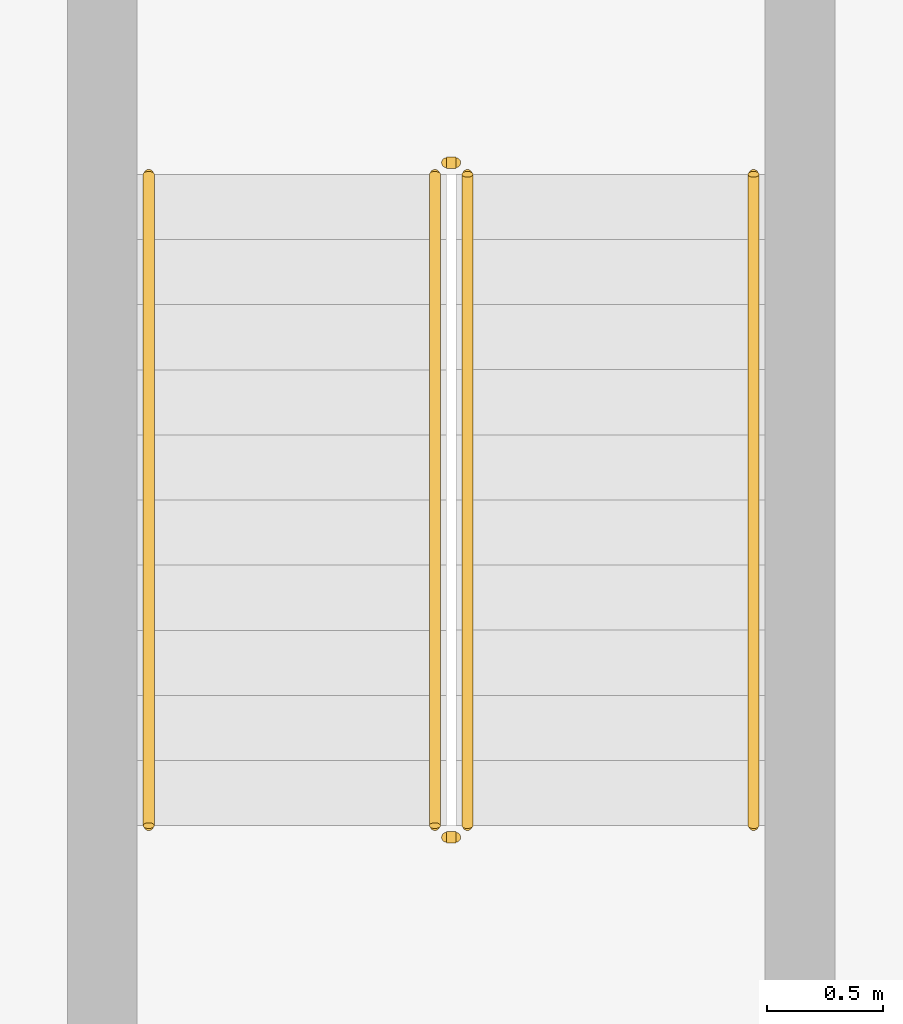
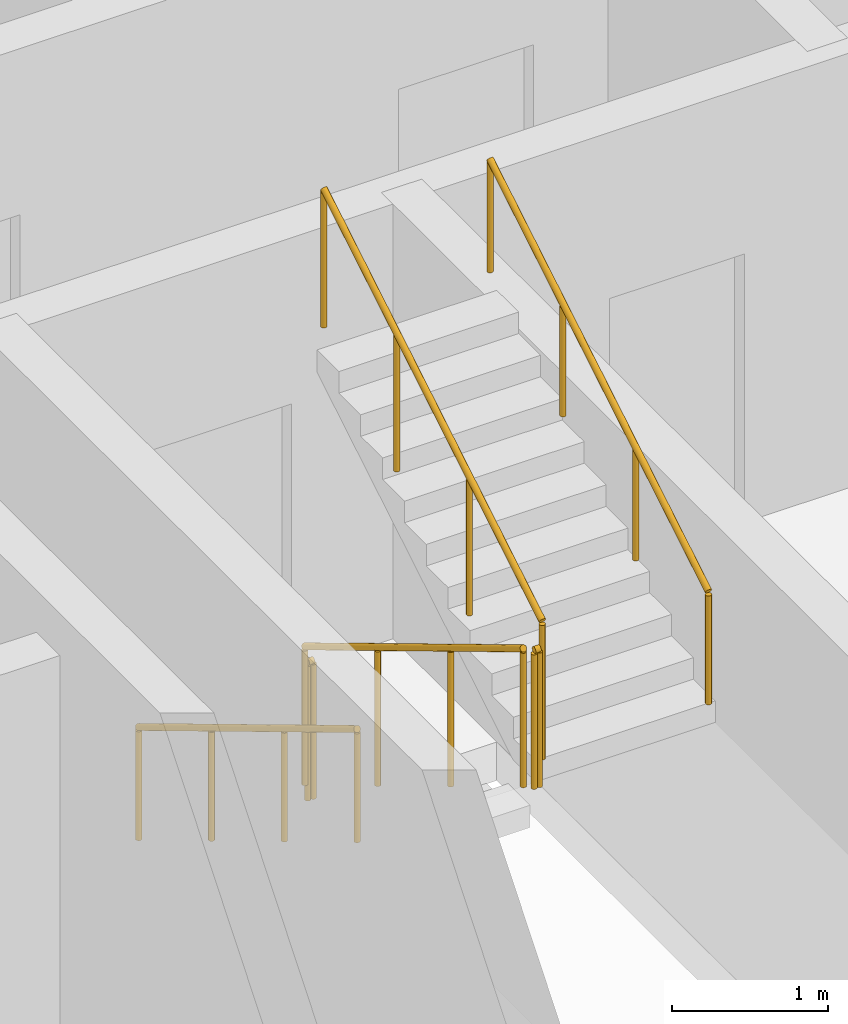
# One storey, part 29 of 32: 6 railings.
"""IFC4 building model written with IfcOpenShell, lengths in metres."""

import ifcopenshell
import ifcopenshell.guid

model = None  # the IFC model being written
_history = None  # IfcOwnerHistory: only IFC2X3 demands one
_inside = {}  # id of a spatial element -> (the spatial element, [elements in it])
_under = {}  # id of a project, library or spatial element -> (it, [spatial elements below it])
_declared = {}  # id of a project -> (the project, [libraries it declares])
_typed = {}  # id of a type object -> (the type object, [elements of that type])
_made_of = {}  # id of a material, layer set ... -> (it, [elements and type objects made of it])


def new_model(schema):
    """Start an empty IFC model of exactly this schema.

    Asked for "IFC4X3", IfcOpenShell would pick the latest addendum, in which some entities
    have other attributes; the version numbers below select the first issue.
    IFC2X3 requires an IfcOwnerHistory on every rooted entity: one is made here for all.
    """
    global model, _history
    if schema == "IFC4X3":
        model = ifcopenshell.file(schema_version=(4, 3, 0, 0))
    else:
        model = ifcopenshell.file(schema=schema)
    _inside.clear()
    _under.clear()
    _declared.clear()
    _typed.clear()
    _made_of.clear()
    _history = None
    if model.schema == "IFC2X3":
        org = make("IfcOrganization", Name="unknown")
        user = make(
            "IfcPersonAndOrganization",
            ThePerson=make("IfcPerson", FamilyName="unknown"),
            TheOrganization=org,
        )
        app = make(
            "IfcApplication",
            ApplicationDeveloper=org,
            Version="unknown",
            ApplicationFullName="unknown",
            ApplicationIdentifier="unknown",
        )
        _history = make(
            "IfcOwnerHistory",
            OwningUser=user,
            OwningApplication=app,
            ChangeAction="ADDED",
            CreationDate=0,
        )
    return model


def make(cls, **values):
    """One entity of the class cls with the attributes given. An attribute that is None is left unset."""
    return model.create_entity(
        cls, **{name: value for name, value in values.items() if value is not None}
    )


def rooted(cls, **values):
    """An entity with a GlobalId (a new one), such as an element, a storey or a relation."""
    return make(cls, GlobalId=ifcopenshell.guid.new(), OwnerHistory=_history, **values)


def si_unit(unit_type, name, prefix=None):
    """IfcSIUnit, for example si_unit("LENGTHUNIT", "METRE", prefix="MILLI")."""
    return make("IfcSIUnit", UnitType=unit_type, Prefix=prefix, Name=name)


def assignment(units):
    """IfcUnitAssignment: the units of a project."""
    return None if units is None else make("IfcUnitAssignment", Units=units)


def point(xyz):
    """IfcCartesianPoint."""
    return None if xyz is None else make("IfcCartesianPoint", Coordinates=xyz)


def direction(xyz):
    """IfcDirection."""
    return None if xyz is None else make("IfcDirection", DirectionRatios=xyz)


def frame(location, z_axis=None, x_axis=None):
    """IfcAxis2Placement3D, a coordinate frame: its origin and axes. An axis left out is left unset."""
    return make(
        "IfcAxis2Placement3D",
        Location=point(location),
        Axis=direction(z_axis),
        RefDirection=direction(x_axis),
    )


def frame_2d(location, x_axis=None):
    """IfcAxis2Placement2D, a coordinate frame in the plane: its origin and x axis."""
    return make(
        "IfcAxis2Placement2D", Location=point(location), RefDirection=direction(x_axis)
    )


def origin():
    """The frame at (0, 0, 0) with its axes left unset."""
    return frame((0.0, 0.0, 0.0))


def origin_2d():
    """The frame at (0, 0) in the plane with its x axis left unset."""
    return frame_2d((0.0, 0.0))


def place(relative_to, where):
    """IfcLocalPlacement: puts the frame where relative to a parent placement (None: the world)."""
    return make(
        "IfcLocalPlacement", PlacementRelTo=relative_to, RelativePlacement=where
    )


def context(
    kind, dimensions, precision=None, world=None, true_north=None, identifier=None
):
    """IfcGeometricRepresentationContext, for example the 3D "Model" context."""
    return make(
        "IfcGeometricRepresentationContext",
        ContextIdentifier=identifier,
        ContextType=kind,
        CoordinateSpaceDimension=dimensions,
        Precision=precision,
        WorldCoordinateSystem=world,
        TrueNorth=true_north,
    )


def subcontext(parent, identifier, kind, view, scale=None):
    """IfcGeometricRepresentationSubContext, for example "Body" below "Model"."""
    return make(
        "IfcGeometricRepresentationSubContext",
        ContextIdentifier=identifier,
        ContextType=kind,
        ParentContext=parent,
        TargetScale=scale,
        TargetView=view,
    )


def project(units=None, contexts=None):
    """IfcProject with its units and contexts."""
    return rooted(
        "IfcProject",
        Name="project",
        RepresentationContexts=contexts,
        UnitsInContext=assignment(units),
    )


def spatial(cls, under=None, at=None, **own):
    """A site, building, storey or space (cls), placed at a placement, below another one or the project."""
    s = rooted(cls, ObjectPlacement=at, **own)
    if under is not None:
        _under.setdefault(under.id(), (under, []))[1].append(s)
    return s


def profile(cls, at=None, kind="AREA", **sizes):
    """A parametric profile (cls). Its sizes go by their IFC names, for example OverallWidth=200.0."""
    return make(cls, ProfileType=kind, Position=at, **sizes)


def circle(**sizes):
    """IfcCircleProfileDef."""
    return profile("IfcCircleProfileDef", **sizes)


def extrude(swept, where, along, depth):
    """IfcExtrudedAreaSolid: the profile swept, set in the frame where, extruded along a direction by depth."""
    return make(
        "IfcExtrudedAreaSolid",
        SweptArea=swept,
        Position=where,
        ExtrudedDirection=direction(along),
        Depth=depth,
    )


def shape(context_of_items, identifier, shape_type, items):
    """IfcShapeRepresentation: the items that make up one representation, for example the "Body"."""
    return make(
        "IfcShapeRepresentation",
        ContextOfItems=context_of_items,
        RepresentationIdentifier=identifier,
        RepresentationType=shape_type,
        Items=items,
    )


def material(Name=None, Category=None):
    """IfcMaterial."""
    return make("IfcMaterial", Name=Name, Category=Category)


def made_of(thing, what):
    """Note that an element or type object is made of a material, layer set ...; save() writes the relation."""
    if what is not None:
        _made_of.setdefault(what.id(), (what, []))[1].append(thing)
    return thing


def type_object(cls, material=None, **own):
    """A type object (cls), such as IfcWallType, which elements share."""
    return made_of(rooted(cls, **own), material)


def element(
    cls,
    number,
    at=None,
    inside=None,
    cuts=None,
    type_object=None,
    material=None,
    context=None,
    identifier="Body",
    shape_type=None,
    held_by="IfcProductDefinitionShape",
    body=None,
    shapes=None,
    **own,
):
    """One element of the class cls, such as IfcWall. Its Tag is "e" and its number.

    at: its placement. inside: the storey or other place that contains it. cuts: it is an
    opening in that element (IfcRelVoidsElement). A single representation is given by context,
    identifier, shape_type and body (its items); several are given by shapes. held_by: the class
    of the entity that holds the representations. save() writes the other relations.
    """
    e = rooted(cls, Tag="e%d" % number, ObjectPlacement=at, **own)
    if body is not None:
        shapes = [shape(context, identifier, shape_type, body)]
    if shapes is not None:
        e.Representation = make(held_by, Representations=shapes)
    if inside is not None:
        _inside.setdefault(inside.id(), (inside, []))[1].append(e)
    if cuts is not None:
        rooted(
            "IfcRelVoidsElement", RelatingBuildingElement=cuts, RelatedOpeningElement=e
        )
    if type_object is not None:
        _typed.setdefault(type_object.id(), (type_object, []))[1].append(e)
    return made_of(e, material)


def aggregate(whole, parts):
    """IfcRelAggregates: a whole, such as a stair, and the parts it consists of."""
    return rooted("IfcRelAggregates", RelatingObject=whole, RelatedObjects=parts)


def save(model, path):
    """Write the relations noted so far, then the file.

    IfcRelAggregates (storeys below a building ...), IfcRelContainedInSpatialStructure (elements
    in a storey), IfcRelDefinesByType, IfcRelAssociatesMaterial and IfcRelDeclares: one each for
    every whole, place, type object, material and project.
    """
    for whole, parts in _under.values():
        aggregate(whole, parts)
    for where, things in _inside.values():
        rooted(
            "IfcRelContainedInSpatialStructure",
            RelatedElements=things,
            RelatingStructure=where,
        )
    for kind, things in _typed.values():
        rooted("IfcRelDefinesByType", RelatedObjects=things, RelatingType=kind)
    for what, things in _made_of.values():
        rooted("IfcRelAssociatesMaterial", RelatedObjects=things, RelatingMaterial=what)
    for by, libraries in _declared.values():
        rooted("IfcRelDeclares", RelatingContext=by, RelatedDefinitions=libraries)
    model.write(path)


model = new_model("IFC4")

# Units and contexts
model_context = context("Model", 3, precision=1e-05, world=origin(), true_north=direction((0.0, 1.0)))
body_context = subcontext(model_context, "Body", "Model", "MODEL_VIEW")
ifc_project = project(units=[si_unit("LENGTHUNIT", "METRE"), si_unit("AREAUNIT", "SQUARE_METRE"), si_unit("VOLUMEUNIT", "CUBIC_METRE"), si_unit("PLANEANGLEUNIT", "RADIAN"), si_unit("MASSUNIT", "GRAM", prefix="KILO")], contexts=[model_context])

# Site, building, storey
site_placement = place(None, origin())
site = spatial("IfcSite", under=ifc_project, at=site_placement, CompositionType="ELEMENT")
building_placement = place(site_placement, origin())
building = spatial("IfcBuilding", under=site, at=building_placement, Name="Ogive Portal Towers", CompositionType="ELEMENT")
storey_placement = place(building_placement, frame((0.0, 0.0, 55.699951171875)))
storey = spatial("IfcBuildingStorey", under=building, at=storey_placement, Name="L12", CompositionType="ELEMENT", Elevation=55.699951171875)

# Railings
ifc_material_1 = material(Name="Stainless steel balustrade", Category="steel")
railing_type_1 = type_object("IfcRailingType", Name="INT-GUARD", PredefinedType="GUARDRAIL", material=ifc_material_1)
railing_1_placement = place(storey_placement, frame((88.280029296875, 29.169921875, 0.168212890625)))
element("IfcRailing", 1, at=railing_1_placement, inside=storey, type_object=railing_type_1, Name="L12 ST-A4 stair guard 1", PredefinedType="GUARDRAIL", context=body_context, shape_type="SweptSolid", body=[
    extrude(circle(Radius=0.02392578125, at=origin_2d()), frame((0.0, 0.0, 1.076171875), z_axis=(0.0, -0.857222391501, 0.514946377315), x_axis=(1.0, 0.0, 0.0)), (0.0, 0.0, 1.0), 3.26611328125),
    extrude(circle(Radius=0.02099609375, at=origin_2d()), origin(), (0.0, 0.0, 1.0), 1.052001953125),
    extrude(circle(Radius=0.02099609375, at=origin_2d()), frame((0.0, -0.933349609375, 0.560546875)), (0.0, 0.0, 1.0), 1.052001953125),
    extrude(circle(Radius=0.02099609375, at=origin_2d()), frame((0.0, -1.866455078125, 1.121337890625)), (0.0, 0.0, 1.0), 1.052001953125),
    extrude(circle(Radius=0.02099609375, at=origin_2d()), frame((0.0, -2.7998046875, 1.681884765625)), (0.0, 0.0, 1.0), 1.052001953125),
])
railing_2_placement = place(storey_placement, frame((88.330078125, 26.320068359375, 1.85009765625)))
element("IfcRailing", 2, at=railing_2_placement, inside=storey, type_object=railing_type_1, Name="L12 ST-A4 stair guard 2", PredefinedType="GUARDRAIL", context=body_context, shape_type="SweptSolid", body=[
    extrude(circle(Radius=0.02392578125, at=origin_2d()), frame((0.0, 0.0, 1.076171875), z_axis=(1.0, 0.0, 0.0), x_axis=(0.0, 1.0, 0.0)), (0.0, 0.0, 1.0), 0.0400390625),
    extrude(circle(Radius=0.02099609375, at=origin_2d()), origin(), (0.0, 0.0, 1.0), 1.052001953125),
    extrude(circle(Radius=0.02099609375, at=origin_2d()), frame((0.0400390625, 0.0, 0.0)), (0.0, 0.0, 1.0), 1.052001953125),
])
railing_3_placement = place(storey_placement, frame((88.419921875, 26.3701171875, 2.018310546875)))
element("IfcRailing", 3, at=railing_3_placement, inside=storey, type_object=railing_type_1, Name="L12 ST-A4 stair guard 3", PredefinedType="GUARDRAIL", context=body_context, shape_type="SweptSolid", body=[
    extrude(circle(Radius=0.02392578125, at=origin_2d()), frame((0.0, 0.0, 1.076171875), z_axis=(0.0, 0.857255387014, 0.514891446264), x_axis=(-1.0, 0.0, 0.0)), (0.0, 0.0, 1.0), 3.26611328125),
    extrude(circle(Radius=0.02099609375, at=origin_2d()), origin(), (0.0, 0.0, 1.0), 1.052001953125),
    extrude(circle(Radius=0.02099609375, at=origin_2d()), frame((0.0, 0.933349609375, 0.560546875)), (0.0, 0.0, 1.0), 1.052001953125),
    extrude(circle(Radius=0.02099609375, at=origin_2d()), frame((0.0, 1.866455078125, 1.12109375)), (0.0, 0.0, 1.0), 1.052001953125),
    extrude(circle(Radius=0.02099609375, at=origin_2d()), frame((0.0, 2.7998046875, 1.681640625)), (0.0, 0.0, 1.0), 1.052001953125),
])
railing_4_placement = place(storey_placement, frame((88.330078125, 29.219970703125, 0.0)))
element("IfcRailing", 4, at=railing_4_placement, inside=storey, type_object=railing_type_1, Name="L12 ST-A4 stair guard 4", PredefinedType="GUARDRAIL", context=body_context, shape_type="SweptSolid", body=[
    extrude(circle(Radius=0.02392578125, at=origin_2d()), frame((0.0, 0.0, 1.076171875), z_axis=(1.0, 0.0, 0.0), x_axis=(0.0, 1.0, 0.0)), (0.0, 0.0, 1.0), 0.0400390625),
    extrude(circle(Radius=0.02099609375, at=origin_2d()), origin(), (0.0, 0.0, 1.0), 1.052001953125),
    extrude(circle(Radius=0.02099609375, at=origin_2d()), frame((0.0400390625, 0.0, 0.0)), (0.0, 0.0, 1.0), 1.052001953125),
])
ifc_material_2 = material(Name="Stainless steel handrail", Category="steel")
railing_type_2 = type_object("IfcRailingType", Name="INT-HANDRAIL", PredefinedType="HANDRAIL", material=ifc_material_2)
railing_5_placement = place(storey_placement, frame((87.050048828125, 29.169921875, 0.168212890625)))
element("IfcRailing", 5, at=railing_5_placement, inside=storey, type_object=railing_type_2, Name="L12 ST-A4 stair handrail 1", PredefinedType="HANDRAIL", context=body_context, shape_type="SweptSolid", body=[
    extrude(circle(Radius=0.02392578125, at=origin_2d()), frame((0.0, 0.0, 0.8759765625), z_axis=(0.0, -0.857222391501, 0.514946377315), x_axis=(1.0, 0.0, 0.0)), (0.0, 0.0, 1.0), 3.26611328125),
    extrude(circle(Radius=0.02099609375, at=origin_2d()), origin(), (0.0, 0.0, 1.0), 0.851806640625),
    extrude(circle(Radius=0.02099609375, at=origin_2d()), frame((0.0, -0.933349609375, 0.560546875)), (0.0, 0.0, 1.0), 0.851806640625),
    extrude(circle(Radius=0.02099609375, at=origin_2d()), frame((0.0, -1.866455078125, 1.121337890625)), (0.0, 0.0, 1.0), 0.851806640625),
    extrude(circle(Radius=0.02099609375, at=origin_2d()), frame((0.0, -2.7998046875, 1.681884765625)), (0.0, 0.0, 1.0), 0.851806640625),
])
railing_6_placement = place(storey_placement, frame((89.64990234375, 26.3701171875, 2.018310546875)))
element("IfcRailing", 6, at=railing_6_placement, inside=storey, type_object=railing_type_2, Name="L12 ST-A4 stair handrail 2", PredefinedType="HANDRAIL", context=body_context, shape_type="SweptSolid", body=[
    extrude(circle(Radius=0.02392578125, at=origin_2d()), frame((0.0, 0.0, 0.8759765625), z_axis=(0.0, 0.857255387014, 0.514891446264), x_axis=(-1.0, 0.0, 0.0)), (0.0, 0.0, 1.0), 3.26611328125),
    extrude(circle(Radius=0.02099609375, at=origin_2d()), origin(), (0.0, 0.0, 1.0), 0.851806640625),
    extrude(circle(Radius=0.02099609375, at=origin_2d()), frame((0.0, 0.933349609375, 0.560546875)), (0.0, 0.0, 1.0), 0.851806640625),
    extrude(circle(Radius=0.02099609375, at=origin_2d()), frame((0.0, 1.866455078125, 1.12109375)), (0.0, 0.0, 1.0), 0.851806640625),
    extrude(circle(Radius=0.02099609375, at=origin_2d()), frame((0.0, 2.7998046875, 1.681640625)), (0.0, 0.0, 1.0), 0.851806640625),
])

save(model, "model.ifc")
